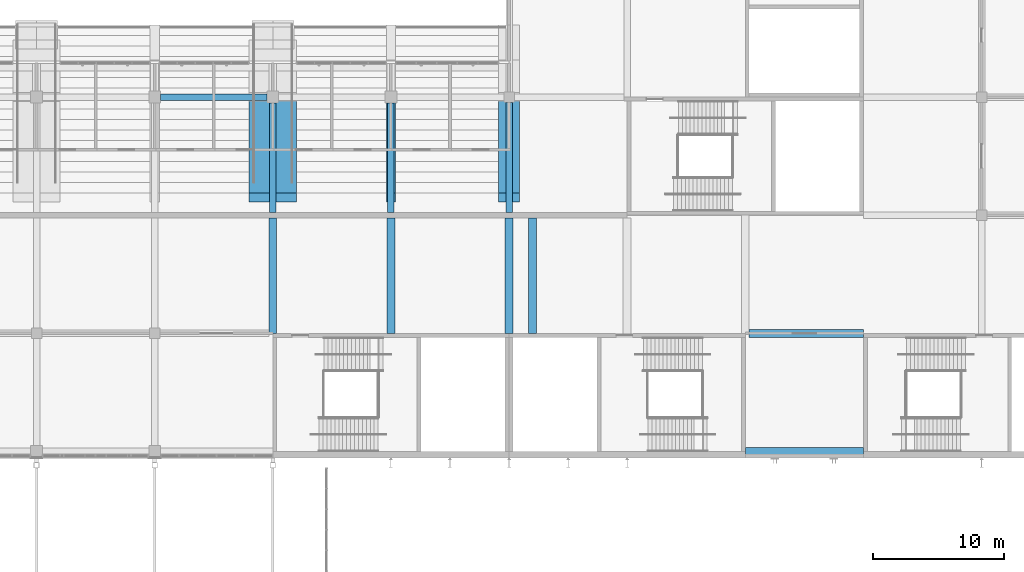
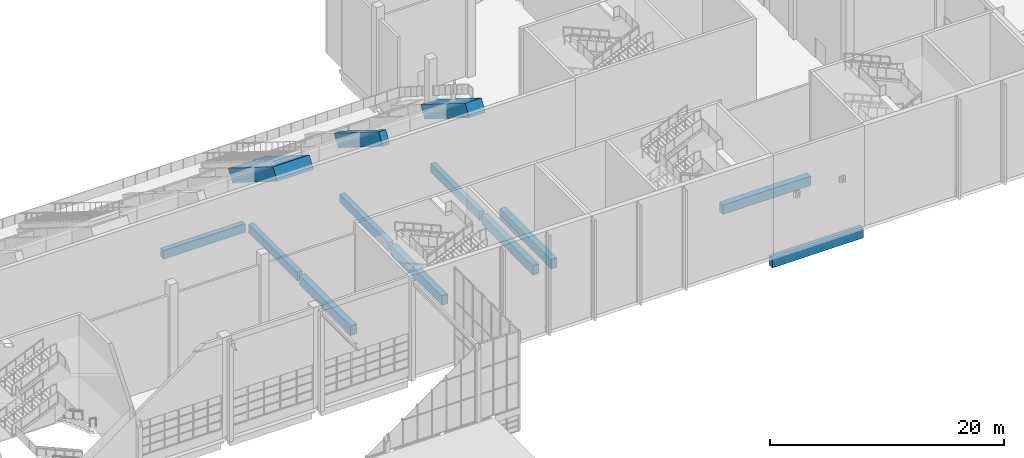
# One storey, part 41 of 182: 13 beams.
"""IFC4 building model written with IfcOpenShell, lengths in metres."""

from ifc_helpers import new_model, si_unit, direction, frame, origin, origin_2d, place, context, subcontext, project, spatial, rectangle, extrude, material, material_profile, profile_set, type_object, element, save


model = new_model("IFC4")

# Units and contexts
model_context = context("Model", 3, precision=1e-05, world=origin(), true_north=direction((0.0, 1.0)))
body_context = subcontext(model_context, "Body", "Model", "MODEL_VIEW")
ifc_project = project(units=[si_unit("LENGTHUNIT", "METRE"), si_unit("AREAUNIT", "SQUARE_METRE"), si_unit("VOLUMEUNIT", "CUBIC_METRE"), si_unit("PLANEANGLEUNIT", "RADIAN"), si_unit("MASSUNIT", "GRAM", prefix="KILO")], contexts=[model_context])

# Site, building, storey
site_placement = place(None, origin())
site = spatial("IfcSite", under=ifc_project, at=site_placement, CompositionType="ELEMENT")
building_placement = place(site_placement, origin())
building = spatial("IfcBuilding", under=site, at=building_placement, Name="Silverbay Arena", CompositionType="ELEMENT")
storey_placement = place(building_placement, frame((0.0, 0.0, 11.5)))
storey = spatial("IfcBuildingStorey", under=building, at=storey_placement, Name="L02", CompositionType="ELEMENT", Elevation=11.5)

# Beams
ifc_material_1 = material(Name="Concrete Grade C45", Category="concrete")
ifc_material_profile_1 = material_profile(ifc_material_1, rectangle(XDim=0.5, YDim=0.89990234375, at=origin_2d()), Name="RC 500x900")
ifc_profile_set_1 = profile_set([ifc_material_profile_1], Name="Concrete Grade C45")
beam_type_1 = type_object("IfcBeamType", Name="RC beam 500x900", PredefinedType="BEAM", material=ifc_profile_set_1)
beam_1_placement = place(storey_placement, frame((135.449951171875, 45.0, -0.800048828125), z_axis=(1.0, 0.0, 0.0), x_axis=(0.0, 1.0, 0.0)))
element("IfcBeam", 1, at=beam_1_placement, inside=storey, type_object=beam_type_1, Name="Floor beam L02 037", PredefinedType="BEAM", context=body_context, shape_type="SweptSolid", body=[
    extrude(rectangle(XDim=0.5, YDim=0.89990234375, at=origin_2d()), origin(), (0.0, 0.0, 1.0), 8.10009765625),
])
for number, where, z_axis, x_axis, name in (
    (2, (144.0, 36.199951171875, -0.800048828125), (0.0, 1.0, 0.0), (-1.0, 0.0, 0.0), "Floor beam L02 282"),
    (3, (153.0, 36.199951171875, -0.800048828125), (0.0, 1.0, 0.0), (-1.0, 0.0, 0.0), "Floor beam L02 288"),
):
    element("IfcBeam", number, at=place(storey_placement, frame(where, z_axis=z_axis, x_axis=x_axis)), inside=storey, type_object=beam_type_1, Name=name, PredefinedType="BEAM", context=body_context, shape_type="SweptSolid", body=[
        extrude(rectangle(XDim=0.5, YDim=0.89990234375, at=origin_2d()), origin(), (0.0, 0.0, 1.0), 8.35009765625),
    ])
beam_2_placement = place(storey_placement, frame((162.0, 36.199951171875, -0.800048828125), z_axis=(0.0, 1.0, 0.0), x_axis=(-1.0, 0.0, 0.0)))
element("IfcBeam", 4, at=beam_2_placement, inside=storey, type_object=beam_type_1, Name="Floor beam L02 294", PredefinedType="BEAM", context=body_context, shape_type="SweptSolid", body=[
    extrude(rectangle(XDim=0.5, YDim=0.89990234375, at=origin_2d()), origin(), (0.0, 0.0, 1.0), 8.400146484375),
])
ifc_material_2 = material(Name="Concrete Grade C45", Category="concrete")
ifc_material_profile_2 = material_profile(ifc_material_2, rectangle(XDim=0.60009765625, YDim=1.0, at=origin_2d()), Name="RC 600x1000")
ifc_profile_set_2 = profile_set([ifc_material_profile_2], Name="Concrete Grade C45")
beam_type_2 = type_object("IfcBeamType", Name="RC beam 600x1000", PredefinedType="BEAM", material=ifc_profile_set_2)
beam_3_placement = place(storey_placement, frame((180.0, 18.0, -0.85009765625), z_axis=(1.0, 0.0, 0.0), x_axis=(0.0, 1.0, 0.0)))
element("IfcBeam", 5, at=beam_3_placement, inside=storey, type_object=beam_type_2, Name="Floor beam L02 007", PredefinedType="BEAM", context=body_context, shape_type="SweptSolid", body=[
    extrude(rectangle(XDim=0.60009765625, YDim=1.0, at=origin_2d()), origin(), (0.0, 0.0, 1.0), 9.0),
])
beam_4_placement = place(storey_placement, frame((180.300048828125, 27.0, -0.85009765625), z_axis=(1.0, 0.0, 0.0), x_axis=(0.0, 1.0, 0.0)))
element("IfcBeam", 6, at=beam_4_placement, inside=storey, type_object=beam_type_2, Name="Floor beam L02 016", PredefinedType="BEAM", context=body_context, shape_type="SweptSolid", body=[
    extrude(rectangle(XDim=0.60009765625, YDim=1.0, at=origin_2d()), origin(), (0.0, 0.0, 1.0), 8.699951171875),
])
for number, where, z_axis, x_axis, name in (
    (7, (144.0, 27.0, -0.85009765625), (0.0, 1.0, 0.0), (-1.0, 0.0, 0.0), "Floor beam L02 281"),
    (8, (153.0, 27.0, -0.85009765625), (0.0, 1.0, 0.0), (-1.0, 0.0, 0.0), "Floor beam L02 287"),
    (9, (162.0, 27.0, -0.85009765625), (0.0, 1.0, 0.0), (-1.0, 0.0, 0.0), "Floor beam L02 293"),
    (10, (163.800048828125, 27.0, -0.85009765625), (0.0, 1.0, 0.0), (-1.0, 0.0, 0.0), "Floor beam L02 301"),
):
    element("IfcBeam", number, at=place(storey_placement, frame(where, z_axis=z_axis, x_axis=x_axis)), inside=storey, type_object=beam_type_2, Name=name, PredefinedType="BEAM", context=body_context, shape_type="SweptSolid", body=[
        extrude(rectangle(XDim=0.60009765625, YDim=1.0, at=origin_2d()), origin(), (0.0, 0.0, 1.0), 8.800048828125),
    ])
ifc_material_3 = material(Name="Concrete Grade C45", Category="concrete")
ifc_material_profile_3 = material_profile(ifc_material_3, rectangle(XDim=1.60009765625, YDim=1.300048828125, at=origin_2d()), Name="RC 1600x1300")
ifc_profile_set_3 = profile_set([ifc_material_profile_3], Name="Concrete Grade C45")
beam_type_3 = type_object("IfcBeamType", Name="RC tier raker 1600x1300", PredefinedType="BEAM", material=ifc_profile_set_3)
beam_5_placement = place(storey_placement, frame((162.0, 45.0, 4.990966796875), z_axis=(0.0, -0.847998304005, 0.529998940003), x_axis=(1.0, 0.0, 0.0)))
element("IfcBeam", 11, at=beam_5_placement, inside=storey, type_object=beam_type_3, Name="Raker South upper 162 back", PredefinedType="BEAM", context=body_context, shape_type="SweptSolid", body=[
    extrude(rectangle(XDim=1.60009765625, YDim=1.300048828125, at=origin_2d()), origin(), (0.0, 0.0, 1.0), 9.014892578125),
])
ifc_material_4 = material(Name="Concrete Grade C45", Category="concrete")
ifc_material_profile_4 = material_profile(ifc_material_4, rectangle(XDim=3.60009765625, YDim=1.300048828125, at=origin_2d()), Name="RC 3600x1300")
ifc_profile_set_4 = profile_set([ifc_material_profile_4], Name="Concrete Grade C45")
beam_type_4 = type_object("IfcBeamType", Name="RC tier raker 3600x1300", PredefinedType="BEAM", material=ifc_profile_set_4)
beam_6_placement = place(storey_placement, frame((144.0, 45.0, 4.990966796875), z_axis=(0.0, -0.847998304005, 0.529998940003), x_axis=(1.0, 0.0, 0.0)))
element("IfcBeam", 12, at=beam_6_placement, inside=storey, type_object=beam_type_4, Name="Raker South upper 144 back", PredefinedType="BEAM", context=body_context, shape_type="SweptSolid", body=[
    extrude(rectangle(XDim=3.60009765625, YDim=1.300048828125, at=origin_2d()), origin(), (0.0, 0.0, 1.0), 9.014892578125),
])
ifc_material_5 = material(Name="Concrete Grade C45", Category="concrete")
ifc_material_profile_5 = material_profile(ifc_material_5, rectangle(XDim=0.699951171875, YDim=1.300048828125, at=origin_2d()), Name="RC 700x1300")
ifc_profile_set_5 = profile_set([ifc_material_profile_5], Name="Concrete Grade C45")
beam_type_5 = type_object("IfcBeamType", Name="RC tier raker 700x1300", PredefinedType="BEAM", material=ifc_profile_set_5)
beam_7_placement = place(storey_placement, frame((153.0, 45.0, 4.990966796875), z_axis=(0.0, -0.847998304005, 0.529998940003), x_axis=(1.0, 0.0, 0.0)))
element("IfcBeam", 13, at=beam_7_placement, inside=storey, type_object=beam_type_5, Name="Raker South upper 153 back", PredefinedType="BEAM", context=body_context, shape_type="SweptSolid", body=[
    extrude(rectangle(XDim=0.699951171875, YDim=1.300048828125, at=origin_2d()), origin(), (0.0, 0.0, 1.0), 9.014892578125),
])

save(model, "model.ifc")
